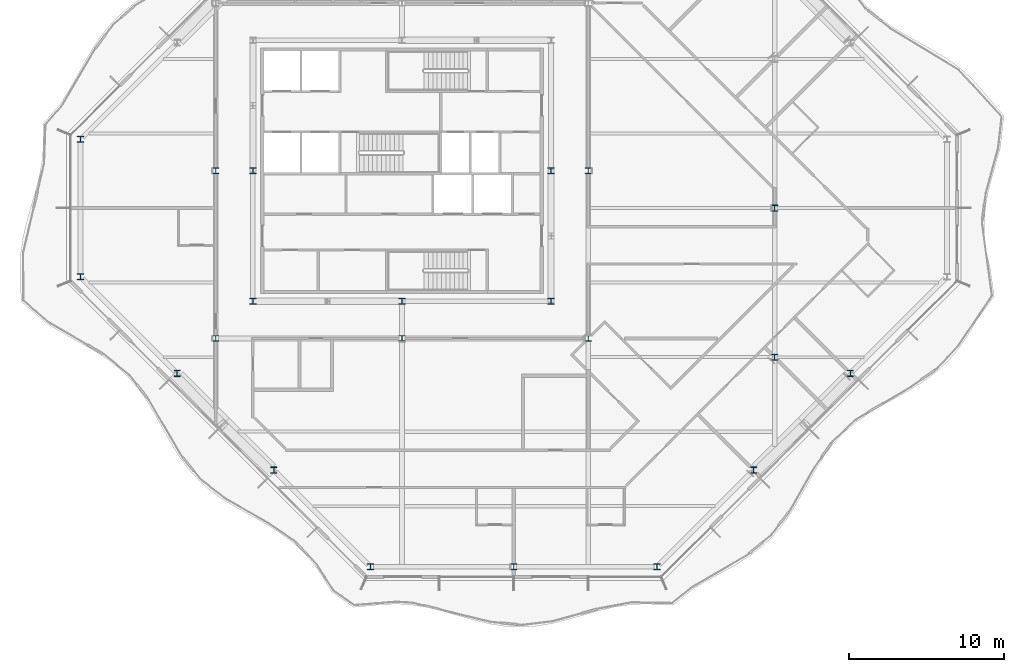
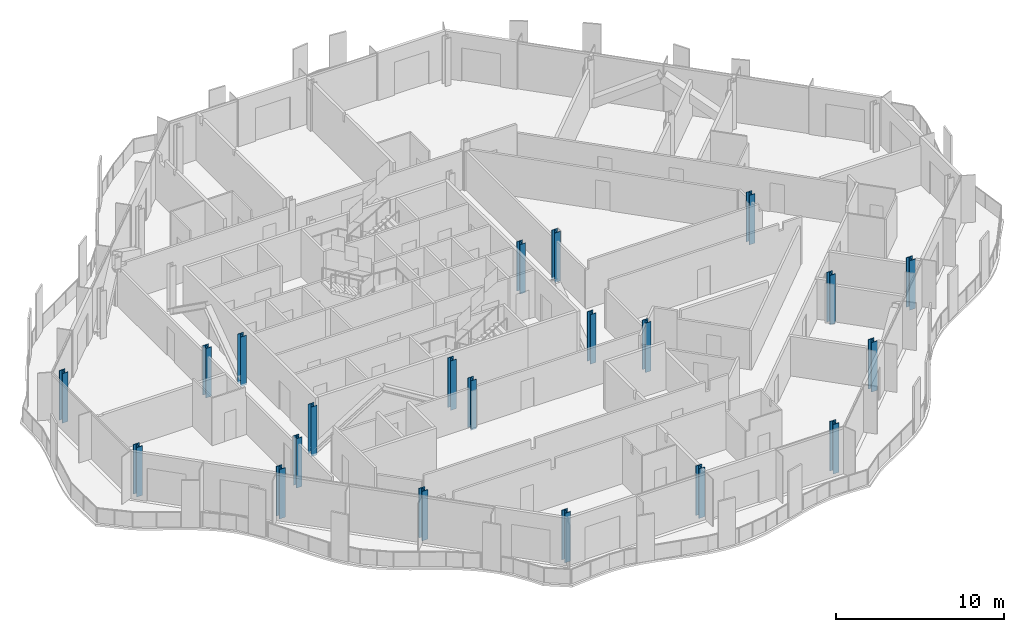
# One storey, part 1 of 17: 21 columns.
"""IFC4 building model written with IfcOpenShell, lengths in metres."""

from ifc_helpers import new_model, si_unit, direction, frame, origin, origin_2d, place, context, subcontext, project, spatial, i_section, extrude, material, material_profile, profile_set, type_object, element, save


model = new_model("IFC4")

# Units and contexts
model_context = context("Model", 3, precision=1e-05, world=origin(), true_north=direction((0.0, 1.0)))
body_context = subcontext(model_context, "Body", "Model", "MODEL_VIEW")
ifc_project = project(units=[si_unit("LENGTHUNIT", "METRE"), si_unit("AREAUNIT", "SQUARE_METRE"), si_unit("VOLUMEUNIT", "CUBIC_METRE"), si_unit("PLANEANGLEUNIT", "RADIAN"), si_unit("MASSUNIT", "GRAM", prefix="KILO")], contexts=[model_context])

# Site, building, storey
site_placement = place(None, origin())
site = spatial("IfcSite", under=ifc_project, at=site_placement, CompositionType="ELEMENT")
building_placement = place(site_placement, origin())
building = spatial("IfcBuilding", under=site, at=building_placement, Name="Cairn Pilgrim Tower", CompositionType="ELEMENT")
storey_placement = place(building_placement, frame((0.0, 0.0, 239.39990234375)))
storey = spatial("IfcBuildingStorey", under=building, at=storey_placement, Name="L61", CompositionType="ELEMENT", Elevation=239.39990234375)

# Columns
ifc_material_1 = material(Name="Structural steel S355J2", Category="steel")
ifc_material_profile_1 = material_profile(ifc_material_1, i_section(OverallWidth=0.39404296875, OverallDepth=0.375, WebThickness=0.017333984375, FlangeThickness=0.027587890625, FilletRadius=0.014892578125, at=origin_2d()), Name="HD 400x216")
ifc_profile_set_1 = profile_set([ifc_material_profile_1], Name="Structural steel S355J2")
column_type_1 = type_object("IfcColumnType", Name="HD 400x216", PredefinedType="COLUMN", material=ifc_profile_set_1)
for number, where, z_axis, x_axis, name in (
    (1, (-4.800048828125, -8.39990234375, -0.14990234375), (0.0, 0.0, 1.0), (1.0, 0.0, 0.0), "IC-1"),
    (2, (7.199951171875, -8.39990234375, -0.14990234375), (0.0, 0.0, 1.0), (1.0, 0.0, 0.0), "IC-2"),
    (3, (19.199951171875, -8.39990234375, -0.14990234375), (0.0, 0.0, 1.0), (1.0, 0.0, 0.0), "IC-3"),
    (4, (-4.800048828125, 2.39990234375, -0.14990234375), (0.0, 0.0, 1.0), (1.0, 0.0, 0.0), "IC-4"),
    (5, (19.199951171875, 2.39990234375, -0.14990234375), (0.0, 0.0, 1.0), (1.0, 0.0, 0.0), "IC-5"),
):
    element("IfcColumn", number, at=place(storey_placement, frame(where, z_axis=z_axis, x_axis=x_axis)), inside=storey, type_object=column_type_1, Name=name, PredefinedType="COLUMN", context=body_context, shape_type="SweptSolid", body=[
        extrude(i_section(OverallWidth=0.39404296875, OverallDepth=0.375, WebThickness=0.017333984375, FlangeThickness=0.027587890625, FilletRadius=0.014892578125, at=origin_2d()), origin(), (0.0, 0.0, 1.0), 3.60009765625),
    ])
ifc_material_profile_2 = material_profile(ifc_material_1, i_section(OverallWidth=0.39794921875, OverallDepth=0.386962890625, WebThickness=0.02099609375, FlangeThickness=0.033203125, FilletRadius=0.014892578125, at=origin_2d()), Name="HD 400x262")
ifc_profile_set_2 = profile_set([ifc_material_profile_2], Name="Structural steel S355J2")
column_type_2 = type_object("IfcColumnType", Name="HD 400x262", PredefinedType="COLUMN", material=ifc_profile_set_2)
for number, where, z_axis, x_axis, name in (
    (6, (-2.39990234375, -6.0, -0.14990234375), (0.0, 0.0, 1.0), (1.0, 0.0, 0.0), "KC-1"),
    (7, (7.199951171875, -6.0, -0.14990234375), (0.0, 0.0, 1.0), (1.0, 0.0, 0.0), "KC-2"),
    (8, (16.800048828125, -6.0, -0.14990234375), (0.0, 0.0, 1.0), (1.0, 0.0, 0.0), "KC-3"),
    (9, (-2.39990234375, 2.39990234375, -0.14990234375), (0.0, 0.0, 1.0), (1.0, 0.0, 0.0), "KC-4"),
    (10, (16.800048828125, 2.39990234375, -0.14990234375), (0.0, 0.0, 1.0), (1.0, 0.0, 0.0), "KC-5"),
):
    element("IfcColumn", number, at=place(storey_placement, frame(where, z_axis=z_axis, x_axis=x_axis)), inside=storey, type_object=column_type_2, Name=name, PredefinedType="COLUMN", context=body_context, shape_type="SweptSolid", body=[
        extrude(i_section(OverallWidth=0.39794921875, OverallDepth=0.386962890625, WebThickness=0.02099609375, FlangeThickness=0.033203125, FilletRadius=0.014892578125, at=origin_2d()), origin(), (0.0, 0.0, 1.0), 3.60009765625),
    ])
ifc_material_profile_3 = material_profile(ifc_material_1, i_section(OverallWidth=0.39892578125, OverallDepth=0.39306640625, WebThickness=0.022705078125, FlangeThickness=0.03662109375, FilletRadius=0.014892578125, at=origin_2d()), Name="HD 400x287")
ifc_profile_set_3 = profile_set([ifc_material_profile_3], Name="Structural steel S355J2")
column_type_3 = type_object("IfcColumnType", Name="HD 400x287", PredefinedType="COLUMN", material=ifc_profile_set_3)
for number, where, z_axis, x_axis, name in (
    (11, (31.199951171875, -9.60009765625, -0.14990234375), (0.0, 0.0, 1.0), (1.0, 0.0, 0.0), "WC-WE-2"),
    (12, (31.199951171875, 0.0, -0.14990234375), (0.0, 0.0, 1.0), (1.0, 0.0, 0.0), "WC-WE+0"),
):
    element("IfcColumn", number, at=place(storey_placement, frame(where, z_axis=z_axis, x_axis=x_axis)), inside=storey, type_object=column_type_3, Name=name, PredefinedType="COLUMN", context=body_context, shape_type="SweptSolid", body=[
        extrude(i_section(OverallWidth=0.39892578125, OverallDepth=0.39306640625, WebThickness=0.022705078125, FlangeThickness=0.03662109375, FilletRadius=0.014892578125, at=origin_2d()), origin(), (0.0, 0.0, 1.0), 3.60009765625),
    ])
ifc_material_2 = material(Name="Structural steel S460M", Category="steel")
ifc_material_profile_4 = material_profile(ifc_material_2, i_section(OverallWidth=0.404052734375, OverallDepth=0.406982421875, WebThickness=0.027099609375, FlangeThickness=0.043701171875, FilletRadius=0.014892578125, at=origin_2d()), Name="HD 400x347")
ifc_profile_set_4 = profile_set([ifc_material_profile_4], Name="Structural steel S460M")
column_type_4 = type_object("IfcColumnType", Name="HD 400x347", PredefinedType="COLUMN", material=ifc_profile_set_4)
for number, where, z_axis, x_axis, name in (
    (13, (5.1728515625, -23.10009765625, -0.14990234375), (0.0, 0.0, 1.0), (1.0, 0.0, 0.0), "PC3-S1"),
    (14, (14.39990234375, -23.10009765625, -0.14990234375), (0.0, 0.0, 1.0), (1.0, 0.0, 0.0), "PC3-S2"),
    (15, (23.627197265625, -23.10009765625, -0.14990234375), (0.0, 0.0, 1.0), (1.0, 0.0, 0.0), "PC3-SE1"),
    (16, (29.8515625, -16.875732421875, -0.14990234375), (0.0, 0.0, 1.0), (1.0, 0.0, 0.0), "PC3-SE2"),
    (17, (36.07568359375, -10.651611328125, -0.14990234375), (0.0, 0.0, 1.0), (1.0, 0.0, 0.0), "PC3-SE3"),
    (18, (-13.5, 4.42724609375, -0.14990234375), (0.0, 0.0, 1.0), (1.0, 0.0, 0.0), "PC3-W1"),
    (19, (-13.5, -4.42724609375, -0.14990234375), (0.0, 0.0, 1.0), (1.0, 0.0, 0.0), "PC3-SW1"),
    (20, (-7.275634765625, -10.651611328125, -0.14990234375), (0.0, 0.0, 1.0), (1.0, 0.0, 0.0), "PC3-SW2"),
    (21, (-1.051513671875, -16.875732421875, -0.14990234375), (0.0, 0.0, 1.0), (1.0, 0.0, 0.0), "PC3-SW3"),
):
    element("IfcColumn", number, at=place(storey_placement, frame(where, z_axis=z_axis, x_axis=x_axis)), inside=storey, type_object=column_type_4, Name=name, PredefinedType="COLUMN", context=body_context, shape_type="SweptSolid", body=[
        extrude(i_section(OverallWidth=0.404052734375, OverallDepth=0.406982421875, WebThickness=0.027099609375, FlangeThickness=0.043701171875, FilletRadius=0.014892578125, at=origin_2d()), origin(), (0.0, 0.0, 1.0), 3.60009765625),
    ])

save(model, "model.ifc")
